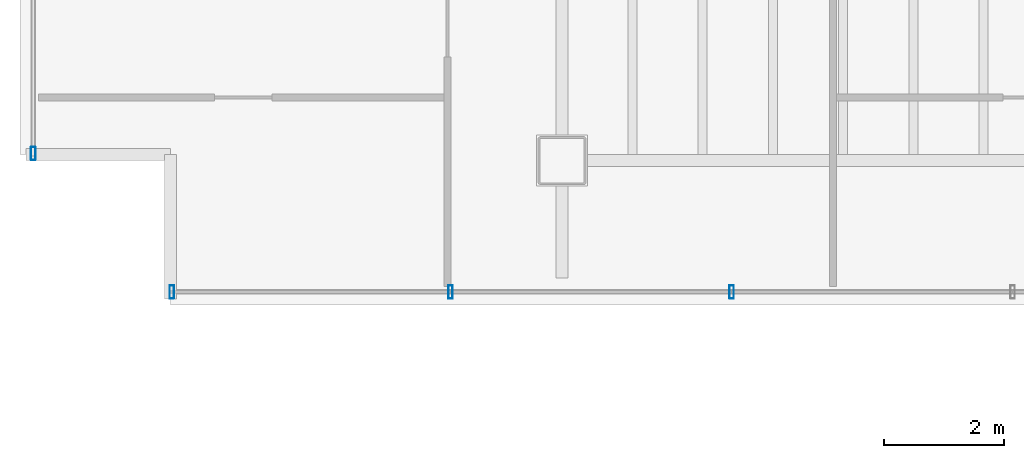
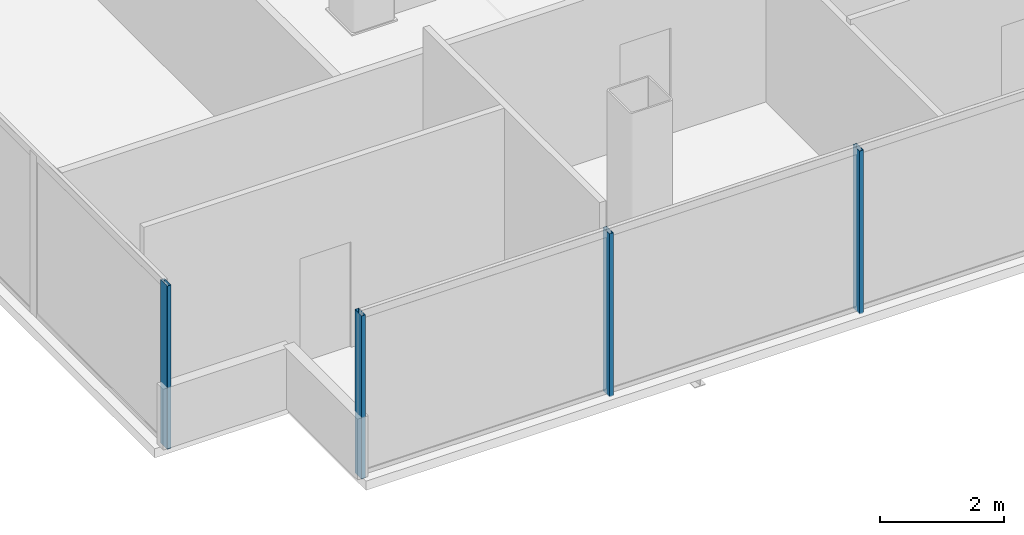
# One storey, part 2 of 17: 4 members, 2 elements without a shape of their own.
"""IFC4 building model written with IfcOpenShell, lengths in metres."""

from ifc_helpers import new_model, si_unit, direction, frame, origin, origin_2d, place, context, subcontext, project, spatial, hollow_rectangle, extrude, material, material_profile, profile_set, type_object, element, aggregate, save


model = new_model("IFC4")

# Units and contexts
model_context = context("Model", 3, precision=1e-05, world=origin(), true_north=direction((0.0, 1.0)))
body_context = subcontext(model_context, "Body", "Model", "MODEL_VIEW")
ifc_project = project(units=[si_unit("LENGTHUNIT", "METRE"), si_unit("AREAUNIT", "SQUARE_METRE"), si_unit("VOLUMEUNIT", "CUBIC_METRE"), si_unit("PLANEANGLEUNIT", "RADIAN"), si_unit("MASSUNIT", "GRAM", prefix="KILO")], contexts=[model_context])

# Site, building, storey
site_placement = place(None, origin())
site = spatial("IfcSite", under=ifc_project, at=site_placement, CompositionType="ELEMENT")
building_placement = place(site_placement, origin())
building = spatial("IfcBuilding", under=site, at=building_placement, Name="Noeulbin Bourse Tower", CompositionType="ELEMENT")
storey_placement = place(building_placement, frame((0.0, 0.0, 265.699951171875)))
storey = spatial("IfcBuildingStorey", under=building, at=storey_placement, Name="L66", CompositionType="ELEMENT", Elevation=265.699951171875)

# Curtain wall, members
ifc_material_1 = material(Name="High-Selectivity Low-Iron Glazing", Category="glass")
curtain_wall_type = type_object("IfcCurtainWallType", Name="CW-SYS-4", PredefinedType="NOTDEFINED", material=ifc_material_1)
curtain_wall_1_placement = place(storey_placement, origin())
curtain_wall_1 = element("IfcCurtainWall", 1, at=curtain_wall_1_placement, inside=storey, type_object=curtain_wall_type, Name="Unitised Curtain Wall CW-L66-S1", PredefinedType="NOTDEFINED")
ifc_material_2 = material(Name="Anodised Aluminium 6063-T6", Category="aluminium")
ifc_material_profile = material_profile(ifc_material_2, hollow_rectangle(XDim=0.074951171875, YDim=0.219970703125, WallThickness=0.0048828125, InnerFilletRadius=0.00244140625, OuterFilletRadius=0.0048828125, at=origin_2d()), Name="ALU-MULL-75x220x5", Category="LoadBearing")
ifc_profile_set = profile_set([ifc_material_profile], Name="Anodised Aluminium 6063-T6")
member_type = type_object("IfcMemberType", Name="CW-SYS-4-MUL", PredefinedType="MULLION", material=ifc_profile_set)
member_1_placement = place(storey_placement, frame((7.02001953125, 17.820068359375, -0.02001953125), z_axis=(0.0, 0.0, 1.0), x_axis=(1.0, 0.0, 0.0)))
member_1 = element("IfcMember", 2, at=member_1_placement, type_object=member_type, Name="Curtain Wall Mullion CW-L66-S1-M00", PredefinedType="MULLION", context=body_context, shape_type="SweptSolid", body=[
    extrude(hollow_rectangle(XDim=0.074951171875, YDim=0.219970703125, WallThickness=0.0048828125, InnerFilletRadius=0.00244140625, OuterFilletRadius=0.0048828125, at=origin_2d()), origin(), (0.0, 0.0, 1.0), 3.219970703125),
])
member_2_placement = place(storey_placement, frame((11.6474609375, 17.820068359375, -0.02001953125), z_axis=(0.0, 0.0, 1.0), x_axis=(1.0, 0.0, 0.0)))
member_2 = element("IfcMember", 3, at=member_2_placement, type_object=member_type, Name="Curtain Wall Mullion CW-L66-S1-M01", PredefinedType="MULLION", context=body_context, shape_type="SweptSolid", body=[
    extrude(hollow_rectangle(XDim=0.074951171875, YDim=0.219970703125, WallThickness=0.0048828125, InnerFilletRadius=0.00244140625, OuterFilletRadius=0.0048828125, at=origin_2d()), origin(), (0.0, 0.0, 1.0), 3.219970703125),
])
member_3_placement = place(storey_placement, frame((16.31494140625, 17.820068359375, -0.02001953125), z_axis=(0.0, 0.0, 1.0), x_axis=(1.0, 0.0, 0.0)))
member_3 = element("IfcMember", 4, at=member_3_placement, type_object=member_type, Name="Curtain Wall Mullion CW-L66-S1-M02", PredefinedType="MULLION", context=body_context, shape_type="SweptSolid", body=[
    extrude(hollow_rectangle(XDim=0.074951171875, YDim=0.219970703125, WallThickness=0.0048828125, InnerFilletRadius=0.00244140625, OuterFilletRadius=0.0048828125, at=origin_2d()), origin(), (0.0, 0.0, 1.0), 3.219970703125),
])
aggregate(curtain_wall_1, [member_1, member_2, member_3])

# Curtain wall, member
curtain_wall_2_placement = place(storey_placement, origin())
curtain_wall_2 = element("IfcCurtainWall", 5, at=curtain_wall_2_placement, inside=storey, type_object=curtain_wall_type, Name="Unitised Curtain Wall CW-L66-W-S1", PredefinedType="NOTDEFINED")
member_4_placement = place(storey_placement, frame((4.719970703125, 20.1201171875, -0.02001953125), z_axis=(0.0, 0.0, 1.0), x_axis=(1.0, 0.0, 0.0)))
member_4 = element("IfcMember", 6, at=member_4_placement, type_object=member_type, Name="Curtain Wall Mullion CW-L66-W-S1-M00", PredefinedType="MULLION", context=body_context, shape_type="SweptSolid", body=[
    extrude(hollow_rectangle(XDim=0.074951171875, YDim=0.219970703125, WallThickness=0.0048828125, InnerFilletRadius=0.00244140625, OuterFilletRadius=0.0048828125, at=origin_2d()), origin(), (0.0, 0.0, 1.0), 3.219970703125),
])
aggregate(curtain_wall_2, [member_4])

save(model, "model.ifc")
